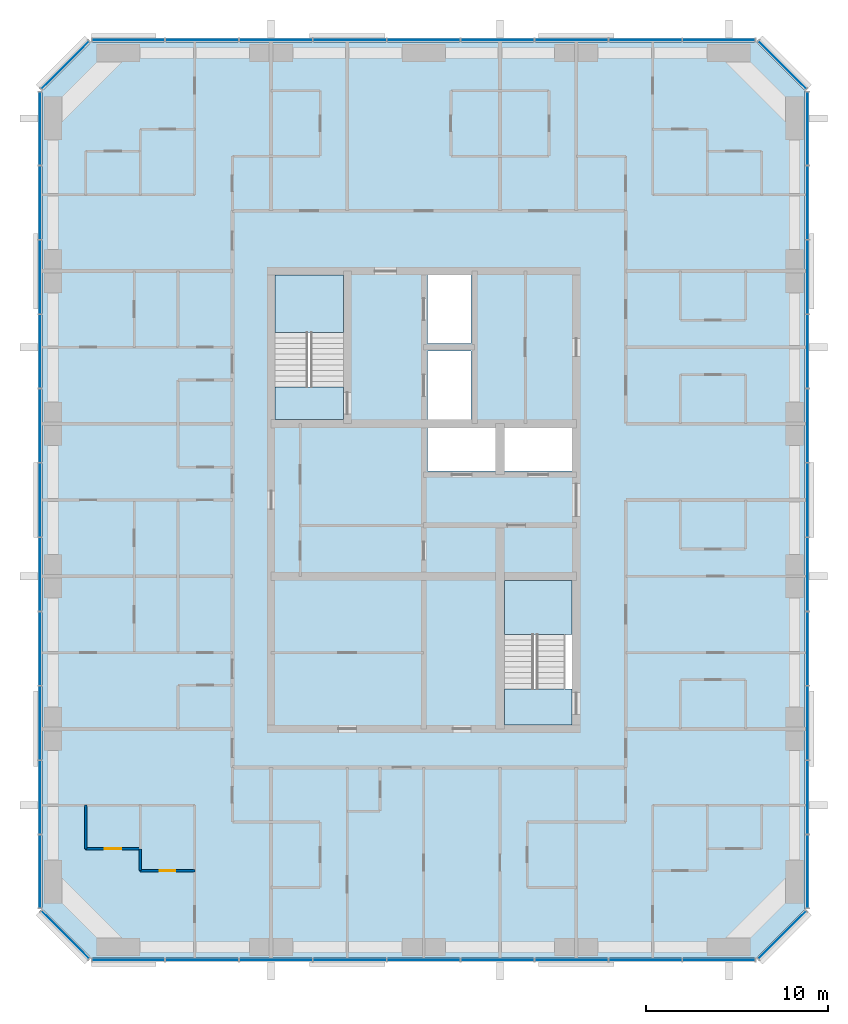
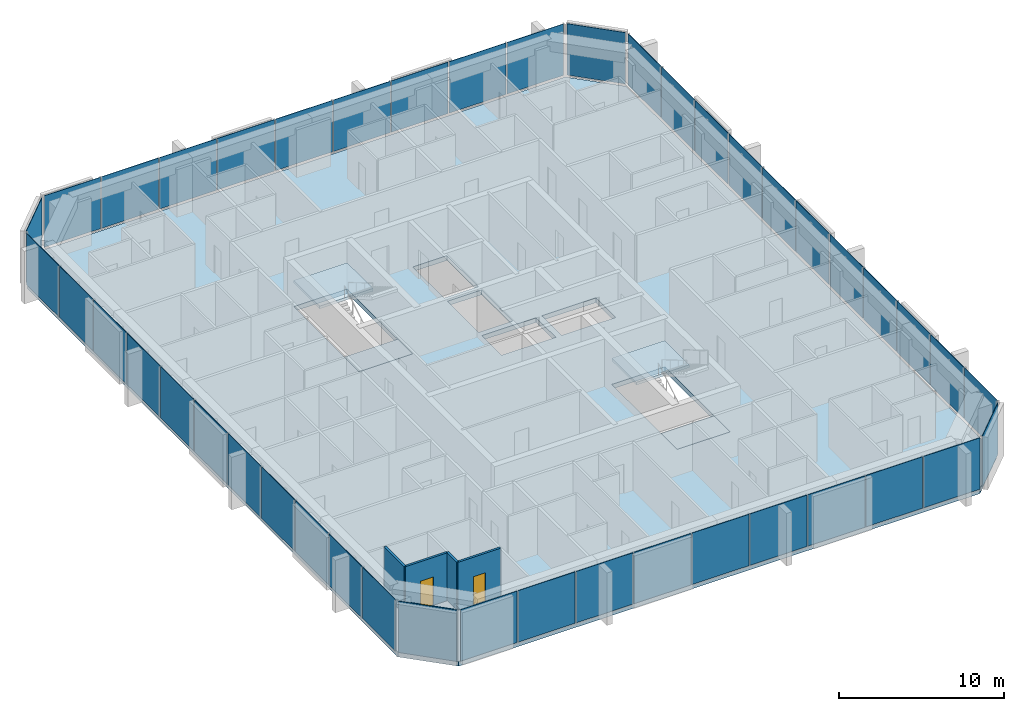
# One storey, part 6 of 12: 44 plates, 5 slabs, 4 walls, 2 doors, 2 openings, 10 elements without a shape of their own.
"""IFC4 building model written with IfcOpenShell, lengths in metres."""

from ifc_helpers import new_model, si_unit, direction, frame, frame_2d, origin, origin_2d, place, context, subcontext, project, spatial, polyline, rectangle, outline, extrude, material, layer, layer_set, type_object, element, fill, aggregate, save


model = new_model("IFC4")

# Units and contexts
model_context = context("Model", 3, precision=1e-05, world=origin(), true_north=direction((0.0, 1.0)))
body_context = subcontext(model_context, "Body", "Model", "MODEL_VIEW")
ifc_project = project(units=[si_unit("LENGTHUNIT", "METRE"), si_unit("AREAUNIT", "SQUARE_METRE"), si_unit("VOLUMEUNIT", "CUBIC_METRE"), si_unit("PLANEANGLEUNIT", "RADIAN"), si_unit("MASSUNIT", "GRAM", prefix="KILO")], contexts=[model_context])

# Site, building, storey
site_placement = place(None, origin())
site = spatial("IfcSite", under=ifc_project, at=site_placement, CompositionType="ELEMENT")
building_placement = place(site_placement, origin())
building = spatial("IfcBuilding", under=site, at=building_placement, Name="Dunama Terrace Hotel", CompositionType="ELEMENT")
storey_placement = place(building_placement, frame((0.0, 0.0, 256.800048828125)))
storey = spatial("IfcBuildingStorey", under=building, at=storey_placement, Name="L66", CompositionType="ELEMENT", Elevation=256.800048828125)

# Curtain wall, plates
ifc_material_1 = material(Name="Aluminium curtain wall system", Category="aluminium")
curtain_wall_type = type_object("IfcCurtainWallType", Name="Unitised fritted glass wall CW-D", PredefinedType="NOTDEFINED", material=ifc_material_1)
curtain_wall_1_placement = place(storey_placement, origin())
curtain_wall_1 = element("IfcCurtainWall", 1, at=curtain_wall_1_placement, inside=storey, type_object=curtain_wall_type, Name="Unitised fritted glass wall CW-D L66", PredefinedType="NOTDEFINED")
ifc_material_2 = material(Name="Laminated glass", Category="glass")
ifc_layer_1 = layer(ifc_material_2, 0.035888671875)
ifc_layer_set_1 = layer_set([ifc_layer_1], Name="CWD clear glass panel")
plate_type_1 = type_object("IfcPlateType", Name="CWD clear glass panel", PredefinedType="CURTAIN_PANEL", material=ifc_layer_set_1)
plate_1_placement = place(storey_placement, frame((21.39990234375, 4.080078125, 0.0849609375), z_axis=(0.0, 0.0, 1.0), x_axis=(1.0, 0.0, 0.0)))
plate_1 = element("IfcPlate", 2, at=plate_1_placement, type_object=plate_type_1, Name="CWD clear glass panel", PredefinedType="CURTAIN_PANEL", context=body_context, shape_type="SweptSolid", body=[
    extrude(rectangle(XDim=3.99658203125, YDim=0.035888671875, at=origin_2d()), origin(), (0.0, 0.0, 1.0), 3.81494140625),
])
plate_2_placement = place(storey_placement, frame((33.60009765625, 4.080078125, 0.0849609375), z_axis=(0.0, 0.0, 1.0), x_axis=(1.0, 0.0, 0.0)))
plate_2 = element("IfcPlate", 3, at=plate_2_placement, type_object=plate_type_1, Name="CWD clear glass panel", PredefinedType="CURTAIN_PANEL", context=body_context, shape_type="SweptSolid", body=[
    extrude(rectangle(XDim=3.99658203125, YDim=0.035888671875, at=origin_2d()), origin(), (0.0, 0.0, 1.0), 3.81494140625),
])
plate_3_placement = place(storey_placement, frame((45.800048828125, 4.080078125, 0.0849609375), z_axis=(0.0, 0.0, 1.0), x_axis=(1.0, 0.0, 0.0)))
plate_3 = element("IfcPlate", 4, at=plate_3_placement, type_object=plate_type_1, Name="CWD clear glass panel", PredefinedType="CURTAIN_PANEL", context=body_context, shape_type="SweptSolid", body=[
    extrude(rectangle(XDim=3.99658203125, YDim=0.035888671875, at=origin_2d()), origin(), (0.0, 0.0, 1.0), 3.81494140625),
])

curtain_wall_2_placement = place(storey_placement, origin())
curtain_wall_2 = element("IfcCurtainWall", 5, at=curtain_wall_2_placement, inside=storey, type_object=curtain_wall_type, Name="Unitised fritted glass wall CW-D L66", PredefinedType="NOTDEFINED")
plate_4_placement = place(storey_placement, frame((54.719970703125, 8.962890625, 0.0849609375), z_axis=(0.0, 0.0, 1.0), x_axis=(0.0, 1.0, 0.0)))
plate_4 = element("IfcPlate", 6, at=plate_4_placement, type_object=plate_type_1, Name="CWD clear glass panel", PredefinedType="CURTAIN_PANEL", context=body_context, shape_type="SweptSolid", body=[
    extrude(rectangle(XDim=3.98583984375, YDim=0.035888671875, at=origin_2d()), origin(), (0.0, 0.0, 1.0), 3.81494140625),
])
plate_5_placement = place(storey_placement, frame((54.719970703125, 21.218017578125, 0.0849609375), z_axis=(0.0, 0.0, 1.0), x_axis=(0.0, 1.0, 0.0)))
plate_5 = element("IfcPlate", 7, at=plate_5_placement, type_object=plate_type_1, Name="CWD clear glass panel", PredefinedType="CURTAIN_PANEL", context=body_context, shape_type="SweptSolid", body=[
    extrude(rectangle(XDim=4.02099609375, YDim=0.035888671875, at=origin_2d()), origin(), (0.0, 0.0, 1.0), 3.81494140625),
])
plate_6_placement = place(storey_placement, frame((54.719970703125, 33.490966796875, 0.0849609375), z_axis=(0.0, 0.0, 1.0), x_axis=(0.0, 1.0, 0.0)))
plate_6 = element("IfcPlate", 8, at=plate_6_placement, type_object=plate_type_1, Name="CWD clear glass panel", PredefinedType="CURTAIN_PANEL", context=body_context, shape_type="SweptSolid", body=[
    extrude(rectangle(XDim=4.02099609375, YDim=0.035888671875, at=origin_2d()), origin(), (0.0, 0.0, 1.0), 3.81494140625),
])
plate_7_placement = place(storey_placement, frame((54.719970703125, 45.763916015625, 0.0849609375), z_axis=(0.0, 0.0, 1.0), x_axis=(0.0, 1.0, 0.0)))
plate_7 = element("IfcPlate", 9, at=plate_7_placement, type_object=plate_type_1, Name="CWD clear glass panel", PredefinedType="CURTAIN_PANEL", context=body_context, shape_type="SweptSolid", body=[
    extrude(rectangle(XDim=4.02099609375, YDim=0.035888671875, at=origin_2d()), origin(), (0.0, 0.0, 1.0), 3.81494140625),
])

curtain_wall_3_placement = place(storey_placement, origin())
curtain_wall_3 = element("IfcCurtainWall", 10, at=curtain_wall_3_placement, inside=storey, type_object=curtain_wall_type, Name="Unitised fritted glass wall CW-D L66", PredefinedType="NOTDEFINED")
plate_8_placement = place(storey_placement, frame((49.84912109375, 54.719970703125, 0.0849609375), z_axis=(0.0, 0.0, 1.0), x_axis=(-1.0, 0.0, 0.0)))
plate_8 = element("IfcPlate", 11, at=plate_8_placement, type_object=plate_type_1, Name="CWD clear glass panel", PredefinedType="CURTAIN_PANEL", context=body_context, shape_type="SweptSolid", body=[
    extrude(rectangle(XDim=3.961669921875, YDim=0.035888671875, at=origin_2d()), origin(), (0.0, 0.0, 1.0), 3.81494140625),
])
plate_9_placement = place(storey_placement, frame((37.6669921875, 54.719970703125, 0.0849609375), z_axis=(0.0, 0.0, 1.0), x_axis=(-1.0, 0.0, 0.0)))
plate_9 = element("IfcPlate", 12, at=plate_9_placement, type_object=plate_type_1, Name="CWD clear glass panel", PredefinedType="CURTAIN_PANEL", context=body_context, shape_type="SweptSolid", body=[
    extrude(rectangle(XDim=3.99658203125, YDim=0.035888671875, at=origin_2d()), origin(), (0.0, 0.0, 1.0), 3.81494140625),
])
plate_10_placement = place(storey_placement, frame((25.467041015625, 54.719970703125, 0.0849609375), z_axis=(0.0, 0.0, 1.0), x_axis=(-1.0, 0.0, 0.0)))
plate_10 = element("IfcPlate", 13, at=plate_10_placement, type_object=plate_type_1, Name="CWD clear glass panel", PredefinedType="CURTAIN_PANEL", context=body_context, shape_type="SweptSolid", body=[
    extrude(rectangle(XDim=3.99658203125, YDim=0.035888671875, at=origin_2d()), origin(), (0.0, 0.0, 1.0), 3.81494140625),
])

# Curtain wall, plate
curtain_wall_4_placement = place(storey_placement, origin())
curtain_wall_4 = element("IfcCurtainWall", 14, at=curtain_wall_4_placement, inside=storey, type_object=curtain_wall_type, Name="Unitised fritted glass wall CW-D L66", PredefinedType="NOTDEFINED")
plate_11_placement = place(storey_placement, frame((13.864990234375, 53.3349609375, 0.0849609375), z_axis=(0.0, 0.0, 1.0), x_axis=(-0.707106781187, -0.707106781187, 0.0)))
plate_11 = element("IfcPlate", 15, at=plate_11_placement, type_object=plate_type_1, Name="CWD clear glass panel", PredefinedType="CURTAIN_PANEL", context=body_context, shape_type="SweptSolid", body=[
    extrude(rectangle(XDim=3.678466796875, YDim=0.035888671875, at=origin_2d()), origin(), (0.0, 0.0, 1.0), 3.81494140625),
])
aggregate(curtain_wall_4, [plate_11])

# Curtain wall, plates
curtain_wall_5_placement = place(storey_placement, origin())
curtain_wall_5 = element("IfcCurtainWall", 16, at=curtain_wall_5_placement, inside=storey, type_object=curtain_wall_type, Name="Unitised fritted glass wall CW-D L66", PredefinedType="NOTDEFINED")
plate_12_placement = place(storey_placement, frame((12.47998046875, 41.673095703125, 0.0849609375), z_axis=(0.0, 0.0, 1.0), x_axis=(0.0, -1.0, 0.0)))
plate_12 = element("IfcPlate", 17, at=plate_12_placement, type_object=plate_type_1, Name="CWD clear glass panel", PredefinedType="CURTAIN_PANEL", context=body_context, shape_type="SweptSolid", body=[
    extrude(rectangle(XDim=4.02099609375, YDim=0.035888671875, at=origin_2d()), origin(), (0.0, 0.0, 1.0), 3.81494140625),
])
plate_13_placement = place(storey_placement, frame((12.47998046875, 29.39990234375, 0.0849609375), z_axis=(0.0, 0.0, 1.0), x_axis=(0.0, -1.0, 0.0)))
plate_13 = element("IfcPlate", 18, at=plate_13_placement, type_object=plate_type_1, Name="CWD clear glass panel", PredefinedType="CURTAIN_PANEL", context=body_context, shape_type="SweptSolid", body=[
    extrude(rectangle(XDim=4.02099609375, YDim=0.035888671875, at=origin_2d()), origin(), (0.0, 0.0, 1.0), 3.81494140625),
])
plate_14_placement = place(storey_placement, frame((12.47998046875, 17.126953125, 0.0849609375), z_axis=(0.0, 0.0, 1.0), x_axis=(0.0, -1.0, 0.0)))
plate_14 = element("IfcPlate", 19, at=plate_14_placement, type_object=plate_type_1, Name="CWD clear glass panel", PredefinedType="CURTAIN_PANEL", context=body_context, shape_type="SweptSolid", body=[
    extrude(rectangle(XDim=4.02099609375, YDim=0.035888671875, at=origin_2d()), origin(), (0.0, 0.0, 1.0), 3.81494140625),
])

# Curtain wall, plate
curtain_wall_6_placement = place(storey_placement, origin())
curtain_wall_6 = element("IfcCurtainWall", 20, at=curtain_wall_6_placement, inside=storey, type_object=curtain_wall_type, Name="Unitised fritted glass wall CW-D L66", PredefinedType="NOTDEFINED")
plate_15_placement = place(storey_placement, frame((13.864990234375, 5.465087890625, 0.0849609375), z_axis=(0.0, 0.0, 1.0), x_axis=(0.707106781187, -0.707106781187, 0.0)))
plate_15 = element("IfcPlate", 21, at=plate_15_placement, type_object=plate_type_1, Name="CWD clear glass panel", PredefinedType="CURTAIN_PANEL", context=body_context, shape_type="SweptSolid", body=[
    extrude(rectangle(XDim=3.678466796875, YDim=0.035888671875, at=origin_2d()), origin(), (0.0, 0.0, 1.0), 3.81494140625),
])
aggregate(curtain_wall_6, [plate_15])

# Plate
ifc_material_3 = material(Name="Fritted laminated glass", Category="glass")
ifc_layer_2 = layer(ifc_material_3, 0.035888671875)
ifc_layer_set_2 = layer_set([ifc_layer_2], Name="CWD fritted glass panel")
plate_type_2 = type_object("IfcPlateType", Name="CWD fritted glass panel", PredefinedType="CURTAIN_PANEL", material=ifc_layer_set_2)
plate_16_placement = place(storey_placement, frame((17.35107421875, 4.080078125, 0.0849609375), z_axis=(0.0, 0.0, 1.0), x_axis=(1.0, 0.0, 0.0)))
plate_16 = element("IfcPlate", 22, at=plate_16_placement, type_object=plate_type_2, Name="CWD fritted glass panel", PredefinedType="CURTAIN_PANEL", context=body_context, shape_type="SweptSolid", body=[
    extrude(rectangle(XDim=3.961669921875, YDim=0.035888671875, at=origin_2d()), origin(), (0.0, 0.0, 1.0), 3.81494140625),
])

plate_17_placement = place(storey_placement, frame((29.532958984375, 4.080078125, 0.0849609375), z_axis=(0.0, 0.0, 1.0), x_axis=(1.0, 0.0, 0.0)))
plate_17 = element("IfcPlate", 23, at=plate_17_placement, type_object=plate_type_2, Name="CWD fritted glass panel", PredefinedType="CURTAIN_PANEL", context=body_context, shape_type="SweptSolid", body=[
    extrude(rectangle(XDim=3.99658203125, YDim=0.035888671875, at=origin_2d()), origin(), (0.0, 0.0, 1.0), 3.81494140625),
])

plate_18_placement = place(storey_placement, frame((41.73291015625, 4.080078125, 0.0849609375), z_axis=(0.0, 0.0, 1.0), x_axis=(1.0, 0.0, 0.0)))
plate_18 = element("IfcPlate", 24, at=plate_18_placement, type_object=plate_type_2, Name="CWD fritted glass panel", PredefinedType="CURTAIN_PANEL", context=body_context, shape_type="SweptSolid", body=[
    extrude(rectangle(XDim=3.99658203125, YDim=0.035888671875, at=origin_2d()), origin(), (0.0, 0.0, 1.0), 3.81494140625),
])

# Curtain wall, plate
curtain_wall_7_placement = place(storey_placement, origin())
curtain_wall_7 = element("IfcCurtainWall", 25, at=curtain_wall_7_placement, inside=storey, type_object=curtain_wall_type, Name="Unitised fritted glass wall CW-D L66", PredefinedType="NOTDEFINED")
plate_19_placement = place(storey_placement, frame((53.3349609375, 5.465087890625, 0.0849609375), z_axis=(0.0, 0.0, 1.0), x_axis=(0.707106781187, 0.707106781187, 0.0)))
plate_19 = element("IfcPlate", 26, at=plate_19_placement, type_object=plate_type_2, Name="CWD fritted glass panel", PredefinedType="CURTAIN_PANEL", context=body_context, shape_type="SweptSolid", body=[
    extrude(rectangle(XDim=3.678466796875, YDim=0.035888671875, at=origin_2d()), origin(), (0.0, 0.0, 1.0), 3.81494140625),
])
aggregate(curtain_wall_7, [plate_19])

# Plate
plate_20_placement = place(storey_placement, frame((54.719970703125, 17.126953125, 0.0849609375), z_axis=(0.0, 0.0, 1.0), x_axis=(0.0, 1.0, 0.0)))
plate_20 = element("IfcPlate", 27, at=plate_20_placement, type_object=plate_type_2, Name="CWD fritted glass panel", PredefinedType="CURTAIN_PANEL", context=body_context, shape_type="SweptSolid", body=[
    extrude(rectangle(XDim=4.02099609375, YDim=0.035888671875, at=origin_2d()), origin(), (0.0, 0.0, 1.0), 3.81494140625),
])

plate_21_placement = place(storey_placement, frame((54.719970703125, 29.39990234375, 0.0849609375), z_axis=(0.0, 0.0, 1.0), x_axis=(0.0, 1.0, 0.0)))
plate_21 = element("IfcPlate", 28, at=plate_21_placement, type_object=plate_type_2, Name="CWD fritted glass panel", PredefinedType="CURTAIN_PANEL", context=body_context, shape_type="SweptSolid", body=[
    extrude(rectangle(XDim=4.02099609375, YDim=0.035888671875, at=origin_2d()), origin(), (0.0, 0.0, 1.0), 3.81494140625),
])

plate_22_placement = place(storey_placement, frame((54.719970703125, 41.673095703125, 0.0849609375), z_axis=(0.0, 0.0, 1.0), x_axis=(0.0, 1.0, 0.0)))
plate_22 = element("IfcPlate", 29, at=plate_22_placement, type_object=plate_type_2, Name="CWD fritted glass panel", PredefinedType="CURTAIN_PANEL", context=body_context, shape_type="SweptSolid", body=[
    extrude(rectangle(XDim=4.02099609375, YDim=0.035888671875, at=origin_2d()), origin(), (0.0, 0.0, 1.0), 3.81494140625),
])

# Curtain wall, plate
curtain_wall_8_placement = place(storey_placement, origin())
curtain_wall_8 = element("IfcCurtainWall", 30, at=curtain_wall_8_placement, inside=storey, type_object=curtain_wall_type, Name="Unitised fritted glass wall CW-D L66", PredefinedType="NOTDEFINED")
plate_23_placement = place(storey_placement, frame((53.3349609375, 53.3349609375, 0.0849609375), z_axis=(0.0, 0.0, 1.0), x_axis=(-0.707106781187, 0.707106781187, 0.0)))
plate_23 = element("IfcPlate", 31, at=plate_23_placement, type_object=plate_type_2, Name="CWD fritted glass panel", PredefinedType="CURTAIN_PANEL", context=body_context, shape_type="SweptSolid", body=[
    extrude(rectangle(XDim=3.678466796875, YDim=0.035888671875, at=origin_2d()), origin(), (0.0, 0.0, 1.0), 3.81494140625),
])
aggregate(curtain_wall_8, [plate_23])

# Plate
plate_24_placement = place(storey_placement, frame((41.73291015625, 54.719970703125, 0.0849609375), z_axis=(0.0, 0.0, 1.0), x_axis=(-1.0, 0.0, 0.0)))
plate_24 = element("IfcPlate", 32, at=plate_24_placement, type_object=plate_type_2, Name="CWD fritted glass panel", PredefinedType="CURTAIN_PANEL", context=body_context, shape_type="SweptSolid", body=[
    extrude(rectangle(XDim=3.99658203125, YDim=0.035888671875, at=origin_2d()), origin(), (0.0, 0.0, 1.0), 3.81494140625),
])

plate_25_placement = place(storey_placement, frame((29.532958984375, 54.719970703125, 0.0849609375), z_axis=(0.0, 0.0, 1.0), x_axis=(-1.0, 0.0, 0.0)))
plate_25 = element("IfcPlate", 33, at=plate_25_placement, type_object=plate_type_2, Name="CWD fritted glass panel", PredefinedType="CURTAIN_PANEL", context=body_context, shape_type="SweptSolid", body=[
    extrude(rectangle(XDim=3.99658203125, YDim=0.035888671875, at=origin_2d()), origin(), (0.0, 0.0, 1.0), 3.81494140625),
])

plate_26_placement = place(storey_placement, frame((17.35107421875, 54.719970703125, 0.0849609375), z_axis=(0.0, 0.0, 1.0), x_axis=(-1.0, 0.0, 0.0)))
plate_26 = element("IfcPlate", 34, at=plate_26_placement, type_object=plate_type_2, Name="CWD fritted glass panel", PredefinedType="CURTAIN_PANEL", context=body_context, shape_type="SweptSolid", body=[
    extrude(rectangle(XDim=3.961669921875, YDim=0.035888671875, at=origin_2d()), origin(), (0.0, 0.0, 1.0), 3.81494140625),
])

plate_27_placement = place(storey_placement, frame((12.47998046875, 45.763916015625, 0.0849609375), z_axis=(0.0, 0.0, 1.0), x_axis=(0.0, -1.0, 0.0)))
plate_27 = element("IfcPlate", 35, at=plate_27_placement, type_object=plate_type_2, Name="CWD fritted glass panel", PredefinedType="CURTAIN_PANEL", context=body_context, shape_type="SweptSolid", body=[
    extrude(rectangle(XDim=4.02099609375, YDim=0.035888671875, at=origin_2d()), origin(), (0.0, 0.0, 1.0), 3.81494140625),
])

plate_28_placement = place(storey_placement, frame((12.47998046875, 33.490966796875, 0.0849609375), z_axis=(0.0, 0.0, 1.0), x_axis=(0.0, -1.0, 0.0)))
plate_28 = element("IfcPlate", 36, at=plate_28_placement, type_object=plate_type_2, Name="CWD fritted glass panel", PredefinedType="CURTAIN_PANEL", context=body_context, shape_type="SweptSolid", body=[
    extrude(rectangle(XDim=4.02099609375, YDim=0.035888671875, at=origin_2d()), origin(), (0.0, 0.0, 1.0), 3.81494140625),
])

plate_29_placement = place(storey_placement, frame((12.47998046875, 21.218017578125, 0.0849609375), z_axis=(0.0, 0.0, 1.0), x_axis=(0.0, -1.0, 0.0)))
plate_29 = element("IfcPlate", 37, at=plate_29_placement, type_object=plate_type_2, Name="CWD fritted glass panel", PredefinedType="CURTAIN_PANEL", context=body_context, shape_type="SweptSolid", body=[
    extrude(rectangle(XDim=4.02099609375, YDim=0.035888671875, at=origin_2d()), origin(), (0.0, 0.0, 1.0), 3.81494140625),
])

plate_30_placement = place(storey_placement, frame((12.47998046875, 8.962890625, 0.0849609375), z_axis=(0.0, 0.0, 1.0), x_axis=(0.0, -1.0, 0.0)))
plate_30 = element("IfcPlate", 38, at=plate_30_placement, type_object=plate_type_2, Name="CWD fritted glass panel", PredefinedType="CURTAIN_PANEL", context=body_context, shape_type="SweptSolid", body=[
    extrude(rectangle(XDim=3.98583984375, YDim=0.035888671875, at=origin_2d()), origin(), (0.0, 0.0, 1.0), 3.81494140625),
])

ifc_material_4 = material(Name="Laminated glass", Category="glass")
ifc_layer_3 = layer(ifc_material_4, 0.035888671875)
ifc_layer_set_3 = layer_set([ifc_layer_3], Name="CWD operable glass panel")
plate_type_3 = type_object("IfcPlateType", Name="CWD operable glass panel", PredefinedType="CURTAIN_PANEL", material=ifc_layer_set_3)
plate_31_placement = place(storey_placement, frame((25.467041015625, 4.080078125, 0.0849609375), z_axis=(0.0, 0.0, 1.0), x_axis=(1.0, 0.0, 0.0)))
plate_31 = element("IfcPlate", 39, at=plate_31_placement, type_object=plate_type_3, Name="CWD operable glass panel", PredefinedType="CURTAIN_PANEL", context=body_context, shape_type="SweptSolid", body=[
    extrude(rectangle(XDim=3.99658203125, YDim=0.035888671875, at=origin_2d()), origin(), (0.0, 0.0, 1.0), 3.81494140625),
])

plate_32_placement = place(storey_placement, frame((37.6669921875, 4.080078125, 0.0849609375), z_axis=(0.0, 0.0, 1.0), x_axis=(1.0, 0.0, 0.0)))
plate_32 = element("IfcPlate", 40, at=plate_32_placement, type_object=plate_type_3, Name="CWD operable glass panel", PredefinedType="CURTAIN_PANEL", context=body_context, shape_type="SweptSolid", body=[
    extrude(rectangle(XDim=3.99658203125, YDim=0.035888671875, at=origin_2d()), origin(), (0.0, 0.0, 1.0), 3.81494140625),
])

plate_33_placement = place(storey_placement, frame((49.84912109375, 4.080078125, 0.0849609375), z_axis=(0.0, 0.0, 1.0), x_axis=(1.0, 0.0, 0.0)))
plate_33 = element("IfcPlate", 41, at=plate_33_placement, type_object=plate_type_3, Name="CWD operable glass panel", PredefinedType="CURTAIN_PANEL", context=body_context, shape_type="SweptSolid", body=[
    extrude(rectangle(XDim=3.961669921875, YDim=0.035888671875, at=origin_2d()), origin(), (0.0, 0.0, 1.0), 3.81494140625),
])

aggregate(curtain_wall_1, [plate_16, plate_1, plate_31, plate_17, plate_2, plate_32, plate_18, plate_3, plate_33])

plate_34_placement = place(storey_placement, frame((54.719970703125, 13.035888671875, 0.0849609375), z_axis=(0.0, 0.0, 1.0), x_axis=(0.0, 1.0, 0.0)))
plate_34 = element("IfcPlate", 42, at=plate_34_placement, type_object=plate_type_3, Name="CWD operable glass panel", PredefinedType="CURTAIN_PANEL", context=body_context, shape_type="SweptSolid", body=[
    extrude(rectangle(XDim=4.02099609375, YDim=0.035888671875, at=origin_2d()), origin(), (0.0, 0.0, 1.0), 3.81494140625),
])

plate_35_placement = place(storey_placement, frame((54.719970703125, 25.30908203125, 0.0849609375), z_axis=(0.0, 0.0, 1.0), x_axis=(0.0, 1.0, 0.0)))
plate_35 = element("IfcPlate", 43, at=plate_35_placement, type_object=plate_type_3, Name="CWD operable glass panel", PredefinedType="CURTAIN_PANEL", context=body_context, shape_type="SweptSolid", body=[
    extrude(rectangle(XDim=4.02099609375, YDim=0.035888671875, at=origin_2d()), origin(), (0.0, 0.0, 1.0), 3.81494140625),
])

plate_36_placement = place(storey_placement, frame((54.719970703125, 37.58203125, 0.0849609375), z_axis=(0.0, 0.0, 1.0), x_axis=(0.0, 1.0, 0.0)))
plate_36 = element("IfcPlate", 44, at=plate_36_placement, type_object=plate_type_3, Name="CWD operable glass panel", PredefinedType="CURTAIN_PANEL", context=body_context, shape_type="SweptSolid", body=[
    extrude(rectangle(XDim=4.02099609375, YDim=0.035888671875, at=origin_2d()), origin(), (0.0, 0.0, 1.0), 3.81494140625),
])

plate_37_placement = place(storey_placement, frame((54.719970703125, 49.8369140625, 0.0849609375), z_axis=(0.0, 0.0, 1.0), x_axis=(0.0, 1.0, 0.0)))
plate_37 = element("IfcPlate", 45, at=plate_37_placement, type_object=plate_type_3, Name="CWD operable glass panel", PredefinedType="CURTAIN_PANEL", context=body_context, shape_type="SweptSolid", body=[
    extrude(rectangle(XDim=3.98583984375, YDim=0.035888671875, at=origin_2d()), origin(), (0.0, 0.0, 1.0), 3.81494140625),
])

aggregate(curtain_wall_2, [plate_4, plate_34, plate_20, plate_5, plate_35, plate_21, plate_6, plate_36, plate_22, plate_7, plate_37])

plate_38_placement = place(storey_placement, frame((45.800048828125, 54.719970703125, 0.0849609375), z_axis=(0.0, 0.0, 1.0), x_axis=(-1.0, 0.0, 0.0)))
plate_38 = element("IfcPlate", 46, at=plate_38_placement, type_object=plate_type_3, Name="CWD operable glass panel", PredefinedType="CURTAIN_PANEL", context=body_context, shape_type="SweptSolid", body=[
    extrude(rectangle(XDim=3.99658203125, YDim=0.035888671875, at=origin_2d()), origin(), (0.0, 0.0, 1.0), 3.81494140625),
])

plate_39_placement = place(storey_placement, frame((33.60009765625, 54.719970703125, 0.0849609375), z_axis=(0.0, 0.0, 1.0), x_axis=(-1.0, 0.0, 0.0)))
plate_39 = element("IfcPlate", 47, at=plate_39_placement, type_object=plate_type_3, Name="CWD operable glass panel", PredefinedType="CURTAIN_PANEL", context=body_context, shape_type="SweptSolid", body=[
    extrude(rectangle(XDim=3.99658203125, YDim=0.035888671875, at=origin_2d()), origin(), (0.0, 0.0, 1.0), 3.81494140625),
])

plate_40_placement = place(storey_placement, frame((21.39990234375, 54.719970703125, 0.0849609375), z_axis=(0.0, 0.0, 1.0), x_axis=(-1.0, 0.0, 0.0)))
plate_40 = element("IfcPlate", 48, at=plate_40_placement, type_object=plate_type_3, Name="CWD operable glass panel", PredefinedType="CURTAIN_PANEL", context=body_context, shape_type="SweptSolid", body=[
    extrude(rectangle(XDim=3.99658203125, YDim=0.035888671875, at=origin_2d()), origin(), (0.0, 0.0, 1.0), 3.81494140625),
])

aggregate(curtain_wall_3, [plate_8, plate_38, plate_24, plate_9, plate_39, plate_25, plate_10, plate_40, plate_26])

plate_41_placement = place(storey_placement, frame((12.47998046875, 49.8369140625, 0.0849609375), z_axis=(0.0, 0.0, 1.0), x_axis=(0.0, -1.0, 0.0)))
plate_41 = element("IfcPlate", 49, at=plate_41_placement, type_object=plate_type_3, Name="CWD operable glass panel", PredefinedType="CURTAIN_PANEL", context=body_context, shape_type="SweptSolid", body=[
    extrude(rectangle(XDim=3.98583984375, YDim=0.035888671875, at=origin_2d()), origin(), (0.0, 0.0, 1.0), 3.81494140625),
])

plate_42_placement = place(storey_placement, frame((12.47998046875, 37.58203125, 0.0849609375), z_axis=(0.0, 0.0, 1.0), x_axis=(0.0, -1.0, 0.0)))
plate_42 = element("IfcPlate", 50, at=plate_42_placement, type_object=plate_type_3, Name="CWD operable glass panel", PredefinedType="CURTAIN_PANEL", context=body_context, shape_type="SweptSolid", body=[
    extrude(rectangle(XDim=4.02099609375, YDim=0.035888671875, at=origin_2d()), origin(), (0.0, 0.0, 1.0), 3.81494140625),
])

plate_43_placement = place(storey_placement, frame((12.47998046875, 25.30908203125, 0.0849609375), z_axis=(0.0, 0.0, 1.0), x_axis=(0.0, -1.0, 0.0)))
plate_43 = element("IfcPlate", 51, at=plate_43_placement, type_object=plate_type_3, Name="CWD operable glass panel", PredefinedType="CURTAIN_PANEL", context=body_context, shape_type="SweptSolid", body=[
    extrude(rectangle(XDim=4.02099609375, YDim=0.035888671875, at=origin_2d()), origin(), (0.0, 0.0, 1.0), 3.81494140625),
])

plate_44_placement = place(storey_placement, frame((12.47998046875, 13.035888671875, 0.0849609375), z_axis=(0.0, 0.0, 1.0), x_axis=(0.0, -1.0, 0.0)))
plate_44 = element("IfcPlate", 52, at=plate_44_placement, type_object=plate_type_3, Name="CWD operable glass panel", PredefinedType="CURTAIN_PANEL", context=body_context, shape_type="SweptSolid", body=[
    extrude(rectangle(XDim=4.02099609375, YDim=0.035888671875, at=origin_2d()), origin(), (0.0, 0.0, 1.0), 3.81494140625),
])

aggregate(curtain_wall_5, [plate_41, plate_27, plate_12, plate_42, plate_28, plate_13, plate_43, plate_29, plate_14, plate_44, plate_30])

# Slab
ifc_material_5 = material(Name="Concrete C40/50", Category="concrete")
ifc_layer_4 = layer(ifc_material_5, 0.35009765625)
ifc_layer_set_4 = layer_set([ifc_layer_4], Name="Flat plate 350")
slab_type_1 = type_object("IfcSlabType", Name="Flat plate 350", PredefinedType="FLOOR", material=ifc_layer_set_4)
slab_1_placement = place(storey_placement, frame((0.0, 0.0, -0.35009765625)))
element("IfcSlab", 53, at=slab_1_placement, inside=storey, type_object=slab_type_1, Name="Floor slab L66", PredefinedType="FLOOR", context=body_context, shape_type="SweptSolid", body=[
    extrude(outline(polyline([(15.300048828125, 4.199951171875), (51.89990234375, 4.199951171875), (54.60009765625, 6.89990234375), (54.60009765625, 51.89990234375), (51.89990234375, 54.60009765625), (15.300048828125, 54.60009765625), (12.60009765625, 51.89990234375), (12.60009765625, 6.89990234375), (15.300048828125, 4.199951171875)]), holes=[polyline([(37.60009765625, 31.0), (37.60009765625, 33.39990234375), (33.800048828125, 33.39990234375), (33.800048828125, 31.0), (37.60009765625, 31.0)]), polyline([(41.800048828125, 31.0), (41.800048828125, 33.39990234375), (38.0, 33.39990234375), (38.0, 31.0), (41.800048828125, 31.0)]), polyline([(36.199951171875, 38.0), (36.199951171875, 41.800048828125), (33.800048828125, 41.800048828125), (33.800048828125, 38.0), (36.199951171875, 38.0)]), polyline([(36.199951171875, 33.800048828125), (36.199951171875, 37.60009765625), (33.800048828125, 37.60009765625), (33.800048828125, 33.800048828125), (36.199951171875, 33.800048828125)]), polyline([(29.175048828125, 33.824951171875), (29.175048828125, 41.77490234375), (25.425048828125, 41.77490234375), (25.425048828125, 33.824951171875), (29.175048828125, 33.824951171875)]), polyline([(41.77490234375, 17.02490234375), (41.77490234375, 24.97509765625), (38.050048828125, 24.97509765625), (38.050048828125, 17.02490234375), (41.77490234375, 17.02490234375)])]), origin(), (0.0, 0.0, 1.0), 0.35009765625),
])

# Stair, slabs
ifc_material_6 = material(Name="Concrete C40/50", Category="concrete")
stair_type_1 = type_object("IfcStairType", Name="Stair ST1-3900-1800", PredefinedType="HALF_TURN_STAIR", material=ifc_material_6)
stair_1_placement = place(storey_placement, origin())
stair_1 = element("IfcStair", 54, at=stair_1_placement, inside=storey, type_object=stair_type_1, Name="Stair ST1 L66", PredefinedType="HALF_TURN_STAIR")
ifc_material_7 = material(Name="Concrete C40/50", Category="concrete")
ifc_layer_5 = layer(ifc_material_7, 0.199951171875)
ifc_layer_set_5 = layer_set([ifc_layer_5], Name="Stair landing 200")
slab_type_2 = type_object("IfcSlabType", Name="Stair landing 200", PredefinedType="LANDING", material=ifc_layer_set_5)
slab_2_placement = place(storey_placement, frame((0.0, 0.0, -0.199951171875)))
slab_2 = element("IfcSlab", 55, at=slab_2_placement, type_object=slab_type_2, Name="ST1 landing 1, type S10", PredefinedType="LANDING", context=body_context, shape_type="SweptSolid", body=[
    extrude(outline(polyline([(25.425048828125, 33.824951171875), (29.175048828125, 33.824951171875), (29.175048828125, 35.625), (25.425048828125, 35.625), (25.425048828125, 33.824951171875)])), origin(), (0.0, 0.0, 1.0), 0.199951171875),
])
slab_3_placement = place(storey_placement, frame((0.0, 0.0, 1.75)))
slab_3 = element("IfcSlab", 56, at=slab_3_placement, type_object=slab_type_2, Name="ST1 landing 2, type S10", PredefinedType="LANDING", context=body_context, shape_type="SweptSolid", body=[
    extrude(outline(polyline([(25.425048828125, 38.625), (29.175048828125, 38.625), (29.175048828125, 41.77490234375), (25.425048828125, 41.77490234375), (25.425048828125, 38.625)])), origin(), (0.0, 0.0, 1.0), 0.199951171875),
])
aggregate(stair_1, [slab_2, slab_3])

ifc_material_8 = material(Name="Concrete C40/50", Category="concrete")
stair_type_2 = type_object("IfcStairType", Name="Stair ST2-3900-1600", PredefinedType="HALF_TURN_STAIR", material=ifc_material_8)
stair_2_placement = place(storey_placement, origin())
stair_2 = element("IfcStair", 57, at=stair_2_placement, inside=storey, type_object=stair_type_2, Name="Stair ST2 L66", PredefinedType="HALF_TURN_STAIR")
slab_4_placement = place(storey_placement, frame((0.0, 0.0, -0.199951171875)))
slab_4 = element("IfcSlab", 58, at=slab_4_placement, type_object=slab_type_2, Name="ST2 landing 1, type S10", PredefinedType="LANDING", context=body_context, shape_type="SweptSolid", body=[
    extrude(outline(polyline([(38.050048828125, 17.02490234375), (41.77490234375, 17.02490234375), (41.77490234375, 19.0), (38.050048828125, 19.0), (38.050048828125, 17.02490234375)])), origin(), (0.0, 0.0, 1.0), 0.199951171875),
])
slab_5_placement = place(storey_placement, frame((0.0, 0.0, 1.75)))
slab_5 = element("IfcSlab", 59, at=slab_5_placement, type_object=slab_type_2, Name="ST2 landing 2, type S10", PredefinedType="LANDING", context=body_context, shape_type="SweptSolid", body=[
    extrude(outline(polyline([(38.050048828125, 22.0), (41.77490234375, 22.0), (41.77490234375, 24.97509765625), (38.050048828125, 24.97509765625), (38.050048828125, 22.0)])), origin(), (0.0, 0.0, 1.0), 0.199951171875),
])
aggregate(stair_2, [slab_4, slab_5])

# Wall
ifc_material_9 = material(Name="Gypsum board partition", Category="masonry")
ifc_layer_6 = layer(ifc_material_9, 0.14990234375)
ifc_layer_set_6 = layer_set([ifc_layer_6], Name="Bathroom partition 150")
wall_type_1 = type_object("IfcWallType", Name="Bathroom partition 150", PredefinedType="PARTITIONING", material=ifc_layer_set_6)
wall_1_placement = place(storey_placement, frame((18.0, 9.0, 0.0), z_axis=(0.0, 0.0, 1.0), x_axis=(0.0, 1.0, 0.0)))
element("IfcWall", 60, at=wall_1_placement, inside=storey, type_object=wall_type_1, Name="Bathroom partition 150 L66", PredefinedType="PARTITIONING", context=body_context, shape_type="SweptSolid", body=[
    extrude(rectangle(XDim=1.199951171875, YDim=0.14990234375, at=frame_2d((0.60009765625, 0.0))), origin(), (0.0, 0.0, 1.0), 3.550048828125),
])

# Wall, opening, door
wall_2_placement = place(storey_placement, frame((18.0, 9.0, 0.0), z_axis=(0.0, 0.0, 1.0), x_axis=(1.0, 0.0, 0.0)))
wall_2 = element("IfcWall", 61, at=wall_2_placement, inside=storey, type_object=wall_type_1, Name="Bathroom partition 150 L66", PredefinedType="PARTITIONING", context=body_context, shape_type="SweptSolid", body=[
    extrude(rectangle(XDim=3.0, YDim=0.14990234375, at=frame_2d((1.5, 0.0))), origin(), (0.0, 0.0, 1.0), 3.550048828125),
])
opening_1_placement = place(wall_2_placement, frame((1.074951171875, 0.0, 0.0)))
opening_1 = element("IfcOpeningElement", 62, at=opening_1_placement, cuts=wall_2, Name="Opening L65-67-047", PredefinedType="OPENING", context=body_context, shape_type="SweptSolid", body=[
    extrude(rectangle(XDim=0.85009765625, YDim=2.10009765625, at=frame_2d((0.425048828125, 1.050048828125))), frame((0.0, 0.0849609375, 0.0), z_axis=(0.0, -1.0, 0.0), x_axis=(1.0, 0.0, 0.0)), (0.0, 0.0, 1.0), 0.169921875),
])
ifc_material_10 = material(Name="Timber door with steel frame", Category="steel")
door_type_1 = type_object("IfcDoorType", Name="Bathroom door 850", OperationType="SINGLE_SWING_LEFT", PredefinedType="DOOR", material=ifc_material_10)
door_1_placement = place(opening_1_placement, origin())
door_1 = element("IfcDoor", 63, at=door_1_placement, inside=storey, type_object=door_type_1, Name="Door to en-suite bathroom L65-67-047, type D2", OperationType="SINGLE_SWING_LEFT", OverallHeight=2.10009765625, OverallWidth=0.85009765625, PredefinedType="DOOR", context=body_context, shape_type="SweptSolid", body=[
    extrude(rectangle(XDim=0.85009765625, YDim=2.10009765625, at=frame_2d((0.425048828125, 1.050048828125))), frame((0.0, 0.02490234375, 0.0), z_axis=(0.0, -1.0, 0.0), x_axis=(1.0, 0.0, 0.0)), (0.0, 0.0, 1.0), 0.050048828125),
])
fill(opening_1, door_1)

# Wall
ifc_material_11 = material(Name="Gypsum board partition", Category="masonry")
ifc_layer_7 = layer(ifc_material_11, 0.14990234375)
ifc_layer_set_7 = layer_set([ifc_layer_7], Name="Room partition 150")
wall_type_2 = type_object("IfcWallType", Name="Room partition 150", PredefinedType="PARTITIONING", material=ifc_layer_set_7)
wall_3_placement = place(storey_placement, frame((15.0, 10.199951171875, 0.0), z_axis=(0.0, 0.0, 1.0), x_axis=(0.0, 1.0, 0.0)))
element("IfcWall", 64, at=wall_3_placement, inside=storey, type_object=wall_type_2, Name="Room partition 150 L66", PredefinedType="PARTITIONING", context=body_context, shape_type="SweptSolid", body=[
    extrude(rectangle(XDim=2.400146484375, YDim=0.14990234375, at=frame_2d((1.2001953125, 0.0))), origin(), (0.0, 0.0, 1.0), 3.550048828125),
])

# Wall, opening, door
wall_4_placement = place(storey_placement, frame((15.0, 10.199951171875, 0.0), z_axis=(0.0, 0.0, 1.0), x_axis=(1.0, 0.0, 0.0)))
wall_4 = element("IfcWall", 65, at=wall_4_placement, inside=storey, type_object=wall_type_2, Name="Room partition 150 L66", PredefinedType="PARTITIONING", context=body_context, shape_type="SweptSolid", body=[
    extrude(rectangle(XDim=3.0, YDim=0.14990234375, at=frame_2d((1.5, 0.0))), origin(), (0.0, 0.0, 1.0), 3.550048828125),
])
opening_2_placement = place(wall_4_placement, frame((1.050048828125, 0.0, 0.0)))
opening_2 = element("IfcOpeningElement", 66, at=opening_2_placement, cuts=wall_4, Name="Opening L65-67-048", PredefinedType="OPENING", context=body_context, shape_type="SweptSolid", body=[
    extrude(rectangle(XDim=0.89990234375, YDim=2.10009765625, at=frame_2d((0.449951171875, 1.050048828125))), frame((0.0, 0.0849609375, 0.0), z_axis=(0.0, -1.0, 0.0), x_axis=(1.0, 0.0, 0.0)), (0.0, 0.0, 1.0), 0.169921875),
])
ifc_material_12 = material(Name="Timber door with steel frame", Category="steel")
door_type_2 = type_object("IfcDoorType", Name="Suite internal door 900", OperationType="SINGLE_SWING_LEFT", PredefinedType="DOOR", material=ifc_material_12)
door_2_placement = place(opening_2_placement, origin())
door_2 = element("IfcDoor", 67, at=door_2_placement, inside=storey, type_object=door_type_2, Name="Door to dressing room L65-67-048, type D16", OperationType="SINGLE_SWING_LEFT", OverallHeight=2.10009765625, OverallWidth=0.89990234375, PredefinedType="DOOR", context=body_context, shape_type="SweptSolid", body=[
    extrude(rectangle(XDim=0.89990234375, YDim=2.10009765625, at=frame_2d((0.449951171875, 1.050048828125))), frame((0.0, 0.02490234375, 0.0), z_axis=(0.0, -1.0, 0.0), x_axis=(1.0, 0.0, 0.0)), (0.0, 0.0, 1.0), 0.050048828125),
])
fill(opening_2, door_2)

save(model, "model.ifc")
